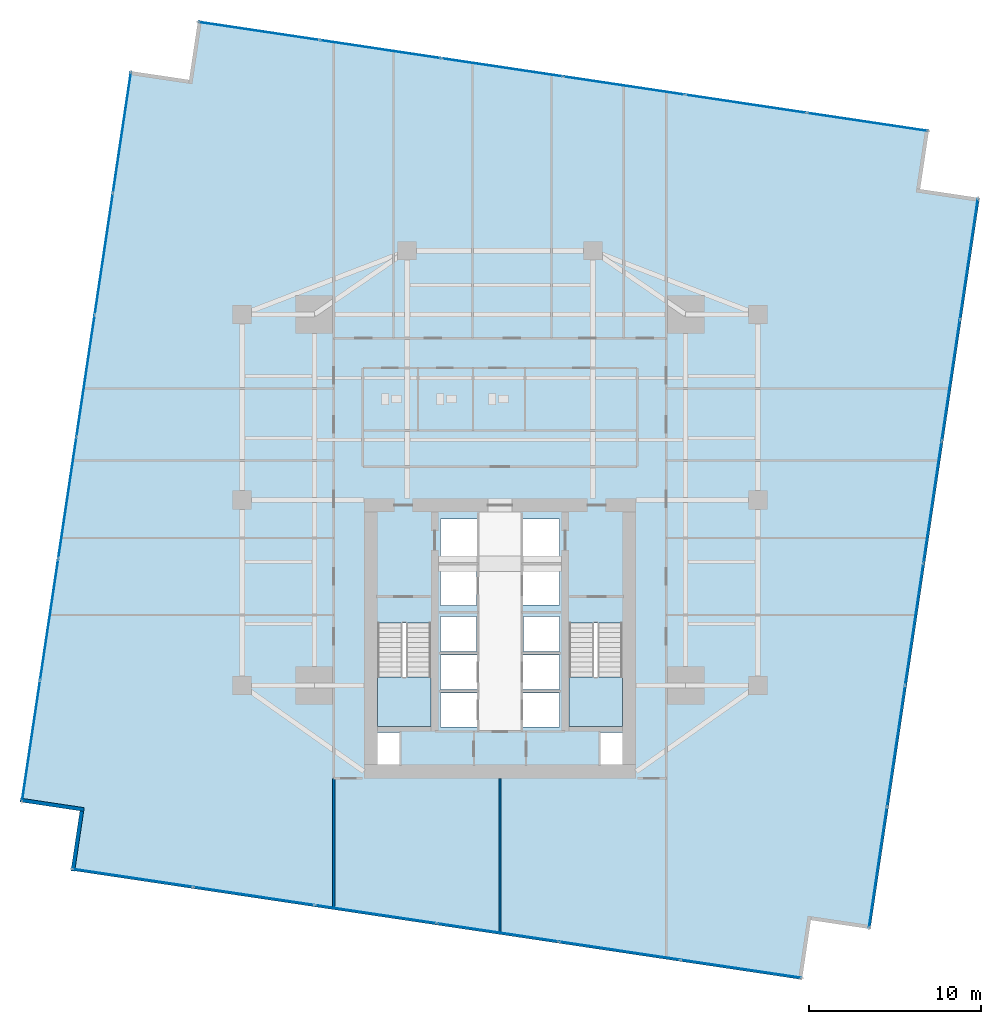
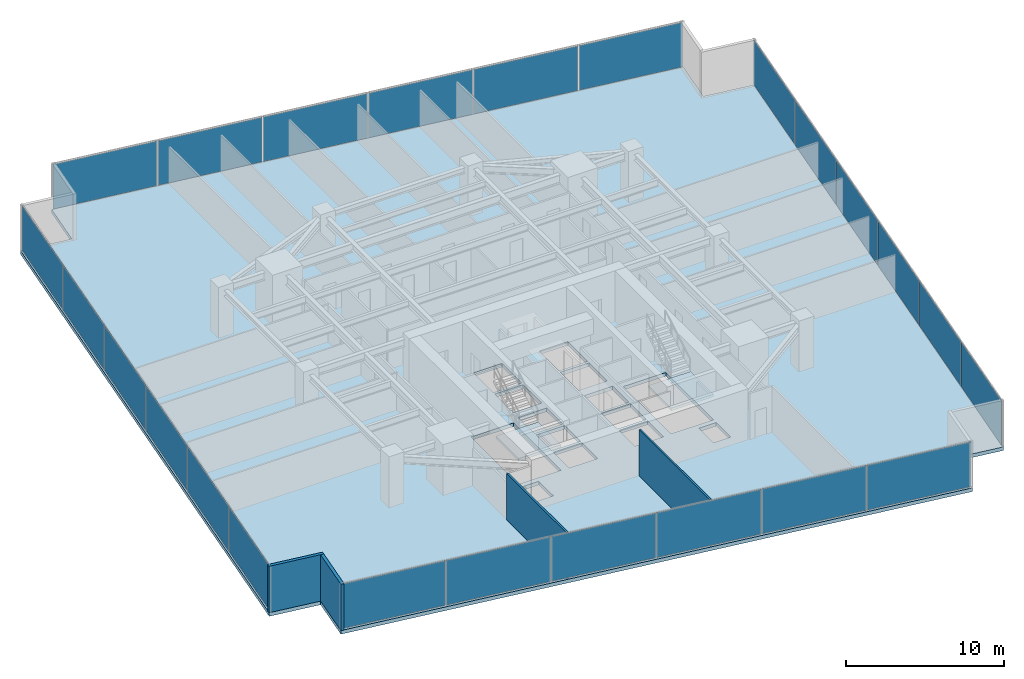
# One storey, part 24 of 29: 24 plates, 4 walls, 3 slabs, 6 elements without a shape of their own.
"""IFC4 building model written with IfcOpenShell, lengths in metres."""

import ifcopenshell
import ifcopenshell.guid

model = None  # the IFC model being written
_history = None  # IfcOwnerHistory: only IFC2X3 demands one
_inside = {}  # id of a spatial element -> (the spatial element, [elements in it])
_under = {}  # id of a project, library or spatial element -> (it, [spatial elements below it])
_declared = {}  # id of a project -> (the project, [libraries it declares])
_typed = {}  # id of a type object -> (the type object, [elements of that type])
_made_of = {}  # id of a material, layer set ... -> (it, [elements and type objects made of it])


def new_model(schema):
    """Start an empty IFC model of exactly this schema.

    Asked for "IFC4X3", IfcOpenShell would pick the latest addendum, in which some entities
    have other attributes; the version numbers below select the first issue.
    IFC2X3 requires an IfcOwnerHistory on every rooted entity: one is made here for all.
    """
    global model, _history
    if schema == "IFC4X3":
        model = ifcopenshell.file(schema_version=(4, 3, 0, 0))
    else:
        model = ifcopenshell.file(schema=schema)
    _inside.clear()
    _under.clear()
    _declared.clear()
    _typed.clear()
    _made_of.clear()
    _history = None
    if model.schema == "IFC2X3":
        org = make("IfcOrganization", Name="unknown")
        user = make(
            "IfcPersonAndOrganization",
            ThePerson=make("IfcPerson", FamilyName="unknown"),
            TheOrganization=org,
        )
        app = make(
            "IfcApplication",
            ApplicationDeveloper=org,
            Version="unknown",
            ApplicationFullName="unknown",
            ApplicationIdentifier="unknown",
        )
        _history = make(
            "IfcOwnerHistory",
            OwningUser=user,
            OwningApplication=app,
            ChangeAction="ADDED",
            CreationDate=0,
        )
    return model


def make(cls, **values):
    """One entity of the class cls with the attributes given. An attribute that is None is left unset."""
    return model.create_entity(
        cls, **{name: value for name, value in values.items() if value is not None}
    )


def rooted(cls, **values):
    """An entity with a GlobalId (a new one), such as an element, a storey or a relation."""
    return make(cls, GlobalId=ifcopenshell.guid.new(), OwnerHistory=_history, **values)


def si_unit(unit_type, name, prefix=None):
    """IfcSIUnit, for example si_unit("LENGTHUNIT", "METRE", prefix="MILLI")."""
    return make("IfcSIUnit", UnitType=unit_type, Prefix=prefix, Name=name)


def assignment(units):
    """IfcUnitAssignment: the units of a project."""
    return None if units is None else make("IfcUnitAssignment", Units=units)


def point(xyz):
    """IfcCartesianPoint."""
    return None if xyz is None else make("IfcCartesianPoint", Coordinates=xyz)


def direction(xyz):
    """IfcDirection."""
    return None if xyz is None else make("IfcDirection", DirectionRatios=xyz)


def frame(location, z_axis=None, x_axis=None):
    """IfcAxis2Placement3D, a coordinate frame: its origin and axes. An axis left out is left unset."""
    return make(
        "IfcAxis2Placement3D",
        Location=point(location),
        Axis=direction(z_axis),
        RefDirection=direction(x_axis),
    )


def frame_2d(location, x_axis=None):
    """IfcAxis2Placement2D, a coordinate frame in the plane: its origin and x axis."""
    return make(
        "IfcAxis2Placement2D", Location=point(location), RefDirection=direction(x_axis)
    )


def origin():
    """The frame at (0, 0, 0) with its axes left unset."""
    return frame((0.0, 0.0, 0.0))


def origin_2d():
    """The frame at (0, 0) in the plane with its x axis left unset."""
    return frame_2d((0.0, 0.0))


def place(relative_to, where):
    """IfcLocalPlacement: puts the frame where relative to a parent placement (None: the world)."""
    return make(
        "IfcLocalPlacement", PlacementRelTo=relative_to, RelativePlacement=where
    )


def context(
    kind, dimensions, precision=None, world=None, true_north=None, identifier=None
):
    """IfcGeometricRepresentationContext, for example the 3D "Model" context."""
    return make(
        "IfcGeometricRepresentationContext",
        ContextIdentifier=identifier,
        ContextType=kind,
        CoordinateSpaceDimension=dimensions,
        Precision=precision,
        WorldCoordinateSystem=world,
        TrueNorth=true_north,
    )


def subcontext(parent, identifier, kind, view, scale=None):
    """IfcGeometricRepresentationSubContext, for example "Body" below "Model"."""
    return make(
        "IfcGeometricRepresentationSubContext",
        ContextIdentifier=identifier,
        ContextType=kind,
        ParentContext=parent,
        TargetScale=scale,
        TargetView=view,
    )


def project(units=None, contexts=None):
    """IfcProject with its units and contexts."""
    return rooted(
        "IfcProject",
        Name="project",
        RepresentationContexts=contexts,
        UnitsInContext=assignment(units),
    )


def spatial(cls, under=None, at=None, **own):
    """A site, building, storey or space (cls), placed at a placement, below another one or the project."""
    s = rooted(cls, ObjectPlacement=at, **own)
    if under is not None:
        _under.setdefault(under.id(), (under, []))[1].append(s)
    return s


def polyline(points):
    """IfcPolyline through the points."""
    return make("IfcPolyline", Points=[point(p) for p in points])


def profile(cls, at=None, kind="AREA", **sizes):
    """A parametric profile (cls). Its sizes go by their IFC names, for example OverallWidth=200.0."""
    return make(cls, ProfileType=kind, Position=at, **sizes)


def rectangle(**sizes):
    """IfcRectangleProfileDef."""
    return profile("IfcRectangleProfileDef", **sizes)


def outline(outer, holes=None, kind="AREA"):
    """IfcArbitraryClosedProfileDef: a profile drawn as a closed curve; with holes, ...WithVoids."""
    if holes is None:
        return make("IfcArbitraryClosedProfileDef", ProfileType=kind, OuterCurve=outer)
    return make(
        "IfcArbitraryProfileDefWithVoids",
        ProfileType=kind,
        OuterCurve=outer,
        InnerCurves=holes,
    )


def extrude(swept, where, along, depth):
    """IfcExtrudedAreaSolid: the profile swept, set in the frame where, extruded along a direction by depth."""
    return make(
        "IfcExtrudedAreaSolid",
        SweptArea=swept,
        Position=where,
        ExtrudedDirection=direction(along),
        Depth=depth,
    )


def shape(context_of_items, identifier, shape_type, items):
    """IfcShapeRepresentation: the items that make up one representation, for example the "Body"."""
    return make(
        "IfcShapeRepresentation",
        ContextOfItems=context_of_items,
        RepresentationIdentifier=identifier,
        RepresentationType=shape_type,
        Items=items,
    )


def source(mapping_origin, context_of_items, identifier, shape_type, items):
    """IfcRepresentationMap: a shape defined once, which mapped items show again and again."""
    return make(
        "IfcRepresentationMap",
        MappingOrigin=mapping_origin,
        MappedRepresentation=shape(context_of_items, identifier, shape_type, items),
    )


def transform(
    local_origin,
    x_axis=None,
    y_axis=None,
    z_axis=None,
    scale=None,
    scale2=None,
    scale3=None,
    uniform=True,
):
    """IfcCartesianTransformationOperator3D, or its non-uniform kind. x_axis, y_axis, z_axis: its Axis1, 2, 3."""
    if uniform:
        return make(
            "IfcCartesianTransformationOperator3D",
            Axis1=direction(x_axis),
            Axis2=direction(y_axis),
            LocalOrigin=point(local_origin),
            Scale=scale,
            Axis3=direction(z_axis),
        )
    return make(
        "IfcCartesianTransformationOperator3DnonUniform",
        Axis1=direction(x_axis),
        Axis2=direction(y_axis),
        LocalOrigin=point(local_origin),
        Scale=scale,
        Axis3=direction(z_axis),
        Scale2=scale2,
        Scale3=scale3,
    )


def mapped(mapping_source, mapping_target):
    """IfcMappedItem: shows the shape of a source again, moved by a transform."""
    return make(
        "IfcMappedItem", MappingSource=mapping_source, MappingTarget=mapping_target
    )


def material(Name=None, Category=None):
    """IfcMaterial."""
    return make("IfcMaterial", Name=Name, Category=Category)


def layer(
    of_material, thickness, ventilated=None, Name=None, Category=None, Priority=None
):
    """IfcMaterialLayer: one layer of a wall or slab, of a material (None: an air gap)."""
    return make(
        "IfcMaterialLayer",
        Material=of_material,
        LayerThickness=thickness,
        IsVentilated=ventilated,
        Name=Name,
        Category=Category,
        Priority=Priority,
    )


def layer_set(layers, Name=None):
    """IfcMaterialLayerSet."""
    return make("IfcMaterialLayerSet", MaterialLayers=layers, LayerSetName=Name)


def made_of(thing, what):
    """Note that an element or type object is made of a material, layer set ...; save() writes the relation."""
    if what is not None:
        _made_of.setdefault(what.id(), (what, []))[1].append(thing)
    return thing


def type_object(cls, material=None, **own):
    """A type object (cls), such as IfcWallType, which elements share."""
    return made_of(rooted(cls, **own), material)


def type_shapes(of_type, sources):
    """Give a type object the sources (RepresentationMaps) that its elements show as mapped items."""
    of_type.RepresentationMaps = sources


def element(
    cls,
    number,
    at=None,
    inside=None,
    cuts=None,
    type_object=None,
    material=None,
    context=None,
    identifier="Body",
    shape_type=None,
    held_by="IfcProductDefinitionShape",
    body=None,
    shapes=None,
    **own,
):
    """One element of the class cls, such as IfcWall. Its Tag is "e" and its number.

    at: its placement. inside: the storey or other place that contains it. cuts: it is an
    opening in that element (IfcRelVoidsElement). A single representation is given by context,
    identifier, shape_type and body (its items); several are given by shapes. held_by: the class
    of the entity that holds the representations. save() writes the other relations.
    """
    e = rooted(cls, Tag="e%d" % number, ObjectPlacement=at, **own)
    if body is not None:
        shapes = [shape(context, identifier, shape_type, body)]
    if shapes is not None:
        e.Representation = make(held_by, Representations=shapes)
    if inside is not None:
        _inside.setdefault(inside.id(), (inside, []))[1].append(e)
    if cuts is not None:
        rooted(
            "IfcRelVoidsElement", RelatingBuildingElement=cuts, RelatedOpeningElement=e
        )
    if type_object is not None:
        _typed.setdefault(type_object.id(), (type_object, []))[1].append(e)
    return made_of(e, material)


def aggregate(whole, parts):
    """IfcRelAggregates: a whole, such as a stair, and the parts it consists of."""
    return rooted("IfcRelAggregates", RelatingObject=whole, RelatedObjects=parts)


def save(model, path):
    """Write the relations noted so far, then the file.

    IfcRelAggregates (storeys below a building ...), IfcRelContainedInSpatialStructure (elements
    in a storey), IfcRelDefinesByType, IfcRelAssociatesMaterial and IfcRelDeclares: one each for
    every whole, place, type object, material and project.
    """
    for whole, parts in _under.values():
        aggregate(whole, parts)
    for where, things in _inside.values():
        rooted(
            "IfcRelContainedInSpatialStructure",
            RelatedElements=things,
            RelatingStructure=where,
        )
    for kind, things in _typed.values():
        rooted("IfcRelDefinesByType", RelatedObjects=things, RelatingType=kind)
    for what, things in _made_of.values():
        rooted("IfcRelAssociatesMaterial", RelatedObjects=things, RelatingMaterial=what)
    for by, libraries in _declared.values():
        rooted("IfcRelDeclares", RelatingContext=by, RelatedDefinitions=libraries)
    model.write(path)


model = new_model("IFC4")

# Units and contexts
model_context = context("Model", 3, precision=1e-05, world=origin(), true_north=direction((0.0, 1.0)))
body_context = subcontext(model_context, "Body", "Model", "MODEL_VIEW")
ifc_project = project(units=[si_unit("LENGTHUNIT", "METRE"), si_unit("AREAUNIT", "SQUARE_METRE"), si_unit("VOLUMEUNIT", "CUBIC_METRE"), si_unit("PLANEANGLEUNIT", "RADIAN"), si_unit("MASSUNIT", "GRAM", prefix="KILO")], contexts=[model_context])

# Site, building, storey
site_placement = place(None, origin())
site = spatial("IfcSite", under=ifc_project, at=site_placement, CompositionType="ELEMENT")
building_placement = place(site_placement, origin())
building = spatial("IfcBuilding", under=site, at=building_placement, Name="Krantzveldt Concourse Tower", CompositionType="ELEMENT")
storey_placement = place(building_placement, frame((0.0, 0.0, 76.35009765625)))
storey = spatial("IfcBuildingStorey", under=building, at=storey_placement, Name="L18", CompositionType="ELEMENT", Elevation=76.35009765625)

# Stair, slab
ifc_material_1 = material(Name="Precast concrete C40/50", Category="concrete")
stair_type = type_object("IfcStairType", Name="STR-CORE-DOGLEG", PredefinedType="HALF_TURN_STAIR", material=ifc_material_1)
stair_1_placement = place(storey_placement, origin())
stair_1 = element("IfcStair", 1, at=stair_1_placement, inside=storey, type_object=stair_type, Name="L18 Protected Escape Stair ST-1", PredefinedType="HALF_TURN_STAIR")
ifc_layer_1 = layer(ifc_material_1, 0.199951171875, Name="Precast concrete C40/50", Category="concrete")
ifc_layer_set_1 = layer_set([ifc_layer_1], Name="Precast concrete C40/50 (SL-LANDING-200)")
slab_type_1 = type_object("IfcSlabType", Name="SL-LANDING-200", PredefinedType="LANDING", material=ifc_layer_set_1)
slab_1_placement = place(storey_placement, frame((0.0, 0.0, 1.77490234375)))
slab_1 = element("IfcSlab", 2, at=slab_1_placement, type_object=slab_type_1, Name="ST-1 landing 1", PredefinedType="LANDING", context=body_context, shape_type="SweptSolid", body=[
    extrude(outline(polyline([(28.8798828125, 16.4150390625), (28.8798828125, 13.52001953125), (31.97998046875, 13.52001953125), (31.97998046875, 16.4150390625), (28.8798828125, 16.4150390625)])), origin(), (0.0, 0.0, 1.0), 0.199951171875),
])
aggregate(stair_1, [slab_1])

stair_2_placement = place(storey_placement, origin())
stair_2 = element("IfcStair", 3, at=stair_2_placement, inside=storey, type_object=stair_type, Name="L18 Protected Escape Stair ST-2", PredefinedType="HALF_TURN_STAIR")
slab_2_placement = place(storey_placement, frame((0.0, 0.0, 1.77490234375)))
slab_2 = element("IfcSlab", 4, at=slab_2_placement, type_object=slab_type_1, Name="ST-2 landing 1", PredefinedType="LANDING", context=body_context, shape_type="SweptSolid", body=[
    extrude(outline(polyline([(40.02001953125, 16.4150390625), (40.02001953125, 13.52001953125), (43.1201171875, 13.52001953125), (43.1201171875, 16.4150390625), (40.02001953125, 16.4150390625)])), origin(), (0.0, 0.0, 1.0), 0.199951171875),
])
aggregate(stair_2, [slab_2])

# Slab
ifc_material_2 = material(Name="Concrete C40/50", Category="concrete")
ifc_layer_2 = layer(ifc_material_2, 0.280029296875, Name="Concrete C40/50", Category="concrete")
ifc_layer_set_2 = layer_set([ifc_layer_2], Name="Concrete C40/50 (SL-SL-TWR280)")
slab_type_2 = type_object("IfcSlabType", Name="SL-SL-TWR280", PredefinedType="FLOOR", material=ifc_layer_set_2)
slab_3_placement = place(storey_placement, frame((0.0, 0.0, -0.280029296875)))
element("IfcSlab", 5, at=slab_3_placement, inside=storey, type_object=slab_type_2, Name="SL-L18-MAIN", PredefinedType="FLOOR", context=body_context, shape_type="SweptSolid", body=[
    extrude(outline(polyline([(17.9140625, 51.141845703125), (14.452392578125, 51.6591796875), (8.0966796875, 9.13134765625), (11.558349609375, 8.614013671875), (11.041015625, 5.152587890625), (53.568603515625, -1.203369140625), (54.0859375, 2.25830078125), (57.547607421875, 1.740966796875), (63.9033203125, 44.2685546875), (60.441650390625, 44.785888671875), (60.958984375, 48.24755859375), (18.431396484375, 54.603271484375), (17.9140625, 51.141845703125)]), holes=[polyline([(28.8798828125, 19.547607421875), (28.8798828125, 13.52001953125), (31.97998046875, 13.52001953125), (31.97998046875, 19.547607421875), (28.8798828125, 19.547607421875)]), polyline([(40.02001953125, 19.547607421875), (40.02001953125, 13.52001953125), (43.1201171875, 13.52001953125), (43.1201171875, 19.547607421875), (40.02001953125, 19.547607421875)]), polyline([(32.550048828125, 23.10009765625), (34.64990234375, 23.10009765625), (34.64990234375, 25.60009765625), (32.550048828125, 25.60009765625), (32.550048828125, 23.10009765625)]), polyline([(37.35009765625, 23.10009765625), (39.449951171875, 23.10009765625), (39.449951171875, 25.60009765625), (37.35009765625, 25.60009765625), (37.35009765625, 23.10009765625)]), polyline([(37.35009765625, 20.60009765625), (39.449951171875, 20.60009765625), (39.449951171875, 22.89990234375), (37.35009765625, 22.89990234375), (37.35009765625, 20.60009765625)]), polyline([(32.550048828125, 13.47998046875), (34.64990234375, 13.47998046875), (34.64990234375, 15.47998046875), (32.550048828125, 15.47998046875), (32.550048828125, 13.47998046875)]), polyline([(32.550048828125, 15.679931640625), (34.64990234375, 15.679931640625), (34.64990234375, 17.679931640625), (32.550048828125, 17.679931640625), (32.550048828125, 15.679931640625)]), polyline([(37.35009765625, 13.47998046875), (39.449951171875, 13.47998046875), (39.449951171875, 15.47998046875), (37.35009765625, 15.47998046875), (37.35009765625, 13.47998046875)]), polyline([(37.35009765625, 15.679931640625), (39.449951171875, 15.679931640625), (39.449951171875, 17.679931640625), (37.35009765625, 17.679931640625), (37.35009765625, 15.679931640625)]), polyline([(32.550048828125, 20.550048828125), (34.6201171875, 20.550048828125), (34.6201171875, 22.89990234375), (32.550048828125, 22.89990234375), (32.550048828125, 20.550048828125)]), polyline([(32.550048828125, 17.8798828125), (34.6201171875, 17.8798828125), (34.6201171875, 19.919921875), (32.550048828125, 19.919921875), (32.550048828125, 17.8798828125)]), polyline([(37.3798828125, 17.8798828125), (39.449951171875, 17.8798828125), (39.449951171875, 19.919921875), (37.3798828125, 19.919921875), (37.3798828125, 17.8798828125)]), polyline([(28.8798828125, 11.320068359375), (30.139892578125, 11.320068359375), (30.139892578125, 13.159912109375), (28.8798828125, 13.159912109375), (28.8798828125, 11.320068359375)]), polyline([(41.860107421875, 11.320068359375), (43.1201171875, 11.320068359375), (43.1201171875, 13.159912109375), (41.860107421875, 13.159912109375), (41.860107421875, 11.320068359375)])]), origin(), (0.0, 0.0, 1.0), 0.280029296875),
])

# Curtain wall, plates
ifc_material_3 = material(Name="Anodised aluminium 6063-T6", Category="aluminium")
curtain_wall_type = type_object("IfcCurtainWallType", Name="CW2", PredefinedType="USERDEFINED", material=ifc_material_3)
curtain_wall_1_placement = place(storey_placement, origin())
curtain_wall_1 = element("IfcCurtainWall", 6, at=curtain_wall_1_placement, inside=storey, type_object=curtain_wall_type, Name="CW-L18-F01", ObjectType="UNITISED CURTAIN WALL", PredefinedType="USERDEFINED")
ifc_material_4 = material(Name="Bronze-tinted laminated low-E IGU glass", Category="glass")
ifc_layer_3 = layer(ifc_material_4, 0.031982421875, Name="Bronze-tinted laminated low-E IGU glass", Category="glass")
ifc_layer_set_3 = layer_set([ifc_layer_3], Name="Bronze-tinted laminated low-E IGU glass (CW-GLZ-32)")
plate_type = type_object("IfcPlateType", Name="CW-GLZ-32", PredefinedType="CURTAIN_PANEL", material=ifc_layer_set_3)
shared_shape_1 = source(origin(), body_context, "Body", "SweptSolid", [
    extrude(rectangle(XDim=7.061767578125, YDim=0.031982421875, at=origin_2d()), origin(), (0.0, 0.0, 1.0), 3.449951171875),
])
plate_1_placement = place(storey_placement, frame((14.00927734375, 48.08447265625, 0.06982421875), z_axis=(0.0, 0.0, 1.0), x_axis=(-0.147809505412, -0.989015849271, 0.0)))
plate_1 = element("IfcPlate", 7, at=plate_1_placement, type_object=plate_type, Name="CW-Z12 panel 1.1", PredefinedType="CURTAIN_PANEL", context=body_context, shape_type="MappedRepresentation", body=[
    mapped(shared_shape_1, transform((0.0, 0.0, 0.0), x_axis=(1.0, 0.0, 0.0), y_axis=(0.0, 1.0, 0.0), z_axis=(0.0, 0.0, 1.0), scale=1.0)),
])
plate_2_placement = place(storey_placement, frame((8.718017578125, 12.679443359375, 0.06982421875), z_axis=(0.0, 0.0, 1.0), x_axis=(-0.147809505412, -0.989015849271, 0.0)))
plate_2 = element("IfcPlate", 8, at=plate_2_placement, type_object=plate_type, Name="CW-Z12 panel 6.1", PredefinedType="CURTAIN_PANEL", context=body_context, shape_type="MappedRepresentation", body=[
    mapped(shared_shape_1, transform((0.0, 0.0, 0.0), x_axis=(1.0, 0.0, 0.0), y_axis=(0.0, 1.0, 0.0), z_axis=(0.0, 0.0, 1.0), scale=1.0)),
])

curtain_wall_2_placement = place(storey_placement, origin())
curtain_wall_2 = element("IfcCurtainWall", 9, at=curtain_wall_2_placement, inside=storey, type_object=curtain_wall_type, Name="CW-L18-F04", ObjectType="UNITISED CURTAIN WALL", PredefinedType="USERDEFINED")
plate_3_placement = place(storey_placement, frame((14.615478515625, 4.709228515625, 0.06982421875), z_axis=(0.0, 0.0, 1.0), x_axis=(0.989015849271, -0.147809505412, 0.0)))
plate_3 = element("IfcPlate", 10, at=plate_3_placement, type_object=plate_type, Name="CW-Z12 panel 1.1", PredefinedType="CURTAIN_PANEL", context=body_context, shape_type="MappedRepresentation", body=[
    mapped(shared_shape_1, transform((0.0, 0.0, 0.0), x_axis=(1.0, 0.0, 0.0), y_axis=(0.0, 1.0, 0.0), z_axis=(0.0, 0.0, 1.0), scale=1.0)),
])
plate_4_placement = place(storey_placement, frame((50.0205078125, -0.58203125, 0.06982421875), z_axis=(0.0, 0.0, 1.0), x_axis=(0.989015849271, -0.147809505412, 0.0)))
plate_4 = element("IfcPlate", 11, at=plate_4_placement, type_object=plate_type, Name="CW-Z12 panel 6.1", PredefinedType="CURTAIN_PANEL", context=body_context, shape_type="MappedRepresentation", body=[
    mapped(shared_shape_1, transform((0.0, 0.0, 0.0), x_axis=(1.0, 0.0, 0.0), y_axis=(0.0, 1.0, 0.0), z_axis=(0.0, 0.0, 1.0), scale=1.0)),
])

curtain_wall_3_placement = place(storey_placement, origin())
curtain_wall_3 = element("IfcCurtainWall", 12, at=curtain_wall_3_placement, inside=storey, type_object=curtain_wall_type, Name="CW-L18-F07", ObjectType="UNITISED CURTAIN WALL", PredefinedType="USERDEFINED")
plate_5_placement = place(storey_placement, frame((57.99072265625, 5.3154296875, 0.06982421875), z_axis=(0.0, 0.0, 1.0), x_axis=(0.147809505412, 0.989015849271, 0.0)))
plate_5 = element("IfcPlate", 13, at=plate_5_placement, type_object=plate_type, Name="CW-Z12 panel 1.1", PredefinedType="CURTAIN_PANEL", context=body_context, shape_type="MappedRepresentation", body=[
    mapped(shared_shape_1, transform((0.0, 0.0, 0.0), x_axis=(1.0, 0.0, 0.0), y_axis=(0.0, 1.0, 0.0), z_axis=(0.0, 0.0, 1.0), scale=1.0)),
])
plate_6_placement = place(storey_placement, frame((63.281982421875, 40.720703125, 0.06982421875), z_axis=(0.0, 0.0, 1.0), x_axis=(0.147809505412, 0.989015849271, 0.0)))
plate_6 = element("IfcPlate", 14, at=plate_6_placement, type_object=plate_type, Name="CW-Z12 panel 6.1", PredefinedType="CURTAIN_PANEL", context=body_context, shape_type="MappedRepresentation", body=[
    mapped(shared_shape_1, transform((0.0, 0.0, 0.0), x_axis=(1.0, 0.0, 0.0), y_axis=(0.0, 1.0, 0.0), z_axis=(0.0, 0.0, 1.0), scale=1.0)),
])

curtain_wall_4_placement = place(storey_placement, origin())
curtain_wall_4 = element("IfcCurtainWall", 15, at=curtain_wall_4_placement, inside=storey, type_object=curtain_wall_type, Name="CW-L18-F10", ObjectType="UNITISED CURTAIN WALL", PredefinedType="USERDEFINED")
plate_7_placement = place(storey_placement, frame((57.384521484375, 48.690673828125, 0.06982421875), z_axis=(0.0, 0.0, 1.0), x_axis=(-0.989015849271, 0.147809505412, 0.0)))
plate_7 = element("IfcPlate", 16, at=plate_7_placement, type_object=plate_type, Name="CW-Z12 panel 1.1", PredefinedType="CURTAIN_PANEL", context=body_context, shape_type="MappedRepresentation", body=[
    mapped(shared_shape_1, transform((0.0, 0.0, 0.0), x_axis=(1.0, 0.0, 0.0), y_axis=(0.0, 1.0, 0.0), z_axis=(0.0, 0.0, 1.0), scale=1.0)),
])
plate_8_placement = place(storey_placement, frame((21.9794921875, 53.98193359375, 0.06982421875), z_axis=(0.0, 0.0, 1.0), x_axis=(-0.989015849271, 0.147809505412, 0.0)))
plate_8 = element("IfcPlate", 17, at=plate_8_placement, type_object=plate_type, Name="CW-Z12 panel 6.1", PredefinedType="CURTAIN_PANEL", context=body_context, shape_type="MappedRepresentation", body=[
    mapped(shared_shape_1, transform((0.0, 0.0, 0.0), x_axis=(1.0, 0.0, 0.0), y_axis=(0.0, 1.0, 0.0), z_axis=(0.0, 0.0, 1.0), scale=1.0)),
])

# Plate
shared_shape_2 = source(origin(), body_context, "Body", "SweptSolid", [
    extrude(rectangle(XDim=7.0966796875, YDim=0.031982421875, at=origin_2d()), origin(), (0.0, 0.0, 1.0), 3.449951171875),
])
type_shapes(plate_type, [shared_shape_1, shared_shape_2])
plate_9_placement = place(storey_placement, frame((12.95263671875, 41.013916015625, 0.06982421875), z_axis=(0.0, 0.0, 1.0), x_axis=(-0.147809505412, -0.989015849271, 0.0)))
plate_9 = element("IfcPlate", 18, at=plate_9_placement, type_object=plate_type, Name="CW-Z12 panel 2.1", PredefinedType="CURTAIN_PANEL", context=body_context, shape_type="MappedRepresentation", body=[
    mapped(shared_shape_2, transform((0.0, 0.0, 0.0), x_axis=(1.0, 0.0, 0.0), y_axis=(0.0, 1.0, 0.0), z_axis=(0.0, 0.0, 1.0), scale=1.0)),
])

plate_10_placement = place(storey_placement, frame((11.893310546875, 33.926025390625, 0.06982421875), z_axis=(0.0, 0.0, 1.0), x_axis=(-0.147809505412, -0.989015849271, 0.0)))
plate_10 = element("IfcPlate", 19, at=plate_10_placement, type_object=plate_type, Name="CW-Z12 panel 3.1", PredefinedType="CURTAIN_PANEL", context=body_context, shape_type="MappedRepresentation", body=[
    mapped(shared_shape_2, transform((0.0, 0.0, 0.0), x_axis=(1.0, 0.0, 0.0), y_axis=(0.0, 1.0, 0.0), z_axis=(0.0, 0.0, 1.0), scale=1.0)),
])

plate_11_placement = place(storey_placement, frame((10.833984375, 26.837890625, 0.06982421875), z_axis=(0.0, 0.0, 1.0), x_axis=(-0.147809505412, -0.989015849271, 0.0)))
plate_11 = element("IfcPlate", 20, at=plate_11_placement, type_object=plate_type, Name="CW-Z12 panel 4.1", PredefinedType="CURTAIN_PANEL", context=body_context, shape_type="MappedRepresentation", body=[
    mapped(shared_shape_2, transform((0.0, 0.0, 0.0), x_axis=(1.0, 0.0, 0.0), y_axis=(0.0, 1.0, 0.0), z_axis=(0.0, 0.0, 1.0), scale=1.0)),
])

plate_12_placement = place(storey_placement, frame((9.774658203125, 19.75, 0.06982421875), z_axis=(0.0, 0.0, 1.0), x_axis=(-0.147809505412, -0.989015849271, 0.0)))
plate_12 = element("IfcPlate", 21, at=plate_12_placement, type_object=plate_type, Name="CW-Z12 panel 5.1", PredefinedType="CURTAIN_PANEL", context=body_context, shape_type="MappedRepresentation", body=[
    mapped(shared_shape_2, transform((0.0, 0.0, 0.0), x_axis=(1.0, 0.0, 0.0), y_axis=(0.0, 1.0, 0.0), z_axis=(0.0, 0.0, 1.0), scale=1.0)),
])

aggregate(curtain_wall_1, [plate_1, plate_9, plate_10, plate_11, plate_12, plate_2])

plate_13_placement = place(storey_placement, frame((21.68603515625, 3.652587890625, 0.06982421875), z_axis=(0.0, 0.0, 1.0), x_axis=(0.989015849271, -0.147809505412, 0.0)))
plate_13 = element("IfcPlate", 22, at=plate_13_placement, type_object=plate_type, Name="CW-Z12 panel 2.1", PredefinedType="CURTAIN_PANEL", context=body_context, shape_type="MappedRepresentation", body=[
    mapped(shared_shape_2, transform((0.0, 0.0, 0.0), x_axis=(1.0, 0.0, 0.0), y_axis=(0.0, 1.0, 0.0), z_axis=(0.0, 0.0, 1.0), scale=1.0)),
])

plate_14_placement = place(storey_placement, frame((28.774169921875, 2.59326171875, 0.06982421875), z_axis=(0.0, 0.0, 1.0), x_axis=(0.989015849271, -0.147809505412, 0.0)))
plate_14 = element("IfcPlate", 23, at=plate_14_placement, type_object=plate_type, Name="CW-Z12 panel 3.1", PredefinedType="CURTAIN_PANEL", context=body_context, shape_type="MappedRepresentation", body=[
    mapped(shared_shape_2, transform((0.0, 0.0, 0.0), x_axis=(1.0, 0.0, 0.0), y_axis=(0.0, 1.0, 0.0), z_axis=(0.0, 0.0, 1.0), scale=1.0)),
])

plate_15_placement = place(storey_placement, frame((35.862060546875, 1.533935546875, 0.06982421875), z_axis=(0.0, 0.0, 1.0), x_axis=(0.989015849271, -0.147809505412, 0.0)))
plate_15 = element("IfcPlate", 24, at=plate_15_placement, type_object=plate_type, Name="CW-Z12 panel 4.1", PredefinedType="CURTAIN_PANEL", context=body_context, shape_type="MappedRepresentation", body=[
    mapped(shared_shape_2, transform((0.0, 0.0, 0.0), x_axis=(1.0, 0.0, 0.0), y_axis=(0.0, 1.0, 0.0), z_axis=(0.0, 0.0, 1.0), scale=1.0)),
])

plate_16_placement = place(storey_placement, frame((42.949951171875, 0.474609375, 0.06982421875), z_axis=(0.0, 0.0, 1.0), x_axis=(0.989015849271, -0.147809505412, 0.0)))
plate_16 = element("IfcPlate", 25, at=plate_16_placement, type_object=plate_type, Name="CW-Z12 panel 5.1", PredefinedType="CURTAIN_PANEL", context=body_context, shape_type="MappedRepresentation", body=[
    mapped(shared_shape_2, transform((0.0, 0.0, 0.0), x_axis=(1.0, 0.0, 0.0), y_axis=(0.0, 1.0, 0.0), z_axis=(0.0, 0.0, 1.0), scale=1.0)),
])

aggregate(curtain_wall_2, [plate_3, plate_13, plate_14, plate_15, plate_16, plate_4])

plate_17_placement = place(storey_placement, frame((59.04736328125, 12.38623046875, 0.06982421875), z_axis=(0.0, 0.0, 1.0), x_axis=(0.147809505412, 0.989015849271, 0.0)))
plate_17 = element("IfcPlate", 26, at=plate_17_placement, type_object=plate_type, Name="CW-Z12 panel 2.1", PredefinedType="CURTAIN_PANEL", context=body_context, shape_type="MappedRepresentation", body=[
    mapped(shared_shape_2, transform((0.0, 0.0, 0.0), x_axis=(1.0, 0.0, 0.0), y_axis=(0.0, 1.0, 0.0), z_axis=(0.0, 0.0, 1.0), scale=1.0)),
])

plate_18_placement = place(storey_placement, frame((60.106689453125, 19.47412109375, 0.06982421875), z_axis=(0.0, 0.0, 1.0), x_axis=(0.147809505412, 0.989015849271, 0.0)))
plate_18 = element("IfcPlate", 27, at=plate_18_placement, type_object=plate_type, Name="CW-Z12 panel 3.1", PredefinedType="CURTAIN_PANEL", context=body_context, shape_type="MappedRepresentation", body=[
    mapped(shared_shape_2, transform((0.0, 0.0, 0.0), x_axis=(1.0, 0.0, 0.0), y_axis=(0.0, 1.0, 0.0), z_axis=(0.0, 0.0, 1.0), scale=1.0)),
])

plate_19_placement = place(storey_placement, frame((61.166015625, 26.56201171875, 0.06982421875), z_axis=(0.0, 0.0, 1.0), x_axis=(0.147809505412, 0.989015849271, 0.0)))
plate_19 = element("IfcPlate", 28, at=plate_19_placement, type_object=plate_type, Name="CW-Z12 panel 4.1", PredefinedType="CURTAIN_PANEL", context=body_context, shape_type="MappedRepresentation", body=[
    mapped(shared_shape_2, transform((0.0, 0.0, 0.0), x_axis=(1.0, 0.0, 0.0), y_axis=(0.0, 1.0, 0.0), z_axis=(0.0, 0.0, 1.0), scale=1.0)),
])

plate_20_placement = place(storey_placement, frame((62.225341796875, 33.64990234375, 0.06982421875), z_axis=(0.0, 0.0, 1.0), x_axis=(0.147809505412, 0.989015849271, 0.0)))
plate_20 = element("IfcPlate", 29, at=plate_20_placement, type_object=plate_type, Name="CW-Z12 panel 5.1", PredefinedType="CURTAIN_PANEL", context=body_context, shape_type="MappedRepresentation", body=[
    mapped(shared_shape_2, transform((0.0, 0.0, 0.0), x_axis=(1.0, 0.0, 0.0), y_axis=(0.0, 1.0, 0.0), z_axis=(0.0, 0.0, 1.0), scale=1.0)),
])

aggregate(curtain_wall_3, [plate_5, plate_17, plate_18, plate_19, plate_20, plate_6])

plate_21_placement = place(storey_placement, frame((50.31396484375, 49.747314453125, 0.06982421875), z_axis=(0.0, 0.0, 1.0), x_axis=(-0.989015849271, 0.147809505412, 0.0)))
plate_21 = element("IfcPlate", 30, at=plate_21_placement, type_object=plate_type, Name="CW-Z12 panel 2.1", PredefinedType="CURTAIN_PANEL", context=body_context, shape_type="MappedRepresentation", body=[
    mapped(shared_shape_2, transform((0.0, 0.0, 0.0), x_axis=(1.0, 0.0, 0.0), y_axis=(0.0, 1.0, 0.0), z_axis=(0.0, 0.0, 1.0), scale=1.0)),
])

plate_22_placement = place(storey_placement, frame((43.225830078125, 50.806640625, 0.06982421875), z_axis=(0.0, 0.0, 1.0), x_axis=(-0.989015849271, 0.147809505412, 0.0)))
plate_22 = element("IfcPlate", 31, at=plate_22_placement, type_object=plate_type, Name="CW-Z12 panel 3.1", PredefinedType="CURTAIN_PANEL", context=body_context, shape_type="MappedRepresentation", body=[
    mapped(shared_shape_2, transform((0.0, 0.0, 0.0), x_axis=(1.0, 0.0, 0.0), y_axis=(0.0, 1.0, 0.0), z_axis=(0.0, 0.0, 1.0), scale=1.0)),
])

plate_23_placement = place(storey_placement, frame((36.137939453125, 51.865966796875, 0.06982421875), z_axis=(0.0, 0.0, 1.0), x_axis=(-0.989015849271, 0.147809505412, 0.0)))
plate_23 = element("IfcPlate", 32, at=plate_23_placement, type_object=plate_type, Name="CW-Z12 panel 4.1", PredefinedType="CURTAIN_PANEL", context=body_context, shape_type="MappedRepresentation", body=[
    mapped(shared_shape_2, transform((0.0, 0.0, 0.0), x_axis=(1.0, 0.0, 0.0), y_axis=(0.0, 1.0, 0.0), z_axis=(0.0, 0.0, 1.0), scale=1.0)),
])

plate_24_placement = place(storey_placement, frame((29.050048828125, 52.92529296875, 0.06982421875), z_axis=(0.0, 0.0, 1.0), x_axis=(-0.989015849271, 0.147809505412, 0.0)))
plate_24 = element("IfcPlate", 33, at=plate_24_placement, type_object=plate_type, Name="CW-Z12 panel 5.1", PredefinedType="CURTAIN_PANEL", context=body_context, shape_type="MappedRepresentation", body=[
    mapped(shared_shape_2, transform((0.0, 0.0, 0.0), x_axis=(1.0, 0.0, 0.0), y_axis=(0.0, 1.0, 0.0), z_axis=(0.0, 0.0, 1.0), scale=1.0)),
])

aggregate(curtain_wall_4, [plate_7, plate_21, plate_22, plate_23, plate_24, plate_8])

# Walls
ifc_layer_4 = layer(ifc_material_3, 0.219970703125, Name="Anodised aluminium 6063-T6", Category="aluminium")
ifc_layer_set_4 = layer_set([ifc_layer_4], Name="Anodised aluminium 6063-T6 (WL-EXT-NOTCH220)")
wall_type_1 = type_object("IfcWallType", Name="WL-EXT-NOTCH220", PredefinedType="ELEMENTEDWALL", material=ifc_layer_set_4)
wall_1_placement = place(storey_placement, frame((8.088134765625, 9.243896484375, 0.0), z_axis=(0.0, 0.0, 1.0), x_axis=(0.989018923648, -0.147788932826, 0.0)))
element("IfcWall", 34, at=wall_1_placement, inside=storey, type_object=wall_type_1, Name="EW-L18-NCH02", PredefinedType="ELEMENTEDWALL", context=body_context, shape_type="SweptSolid", body=[
    extrude(rectangle(XDim=3.744873046875, YDim=0.219970703125, at=frame_2d((1.87255859375, 0.0))), origin(), (0.0, 0.0, 1.0), 3.58984375),
])
wall_2_placement = place(storey_placement, frame((11.6669921875, 8.597900390625, 0.0), z_axis=(0.0, 0.0, 1.0), x_axis=(-0.147798551521, -0.98901748628, 0.0)))
element("IfcWall", 35, at=wall_2_placement, inside=storey, type_object=wall_type_1, Name="EW-L18-NCH03", PredefinedType="ELEMENTEDWALL", context=body_context, shape_type="SweptSolid", body=[
    extrude(rectangle(XDim=3.525146484375, YDim=0.219970703125, at=frame_2d((1.7626953125, 0.0))), origin(), (0.0, 0.0, 1.0), 3.58984375),
])
ifc_material_5 = material(Name="Fire-rated gypsum plasterboard on steel stud", Category="steel")
ifc_layer_5 = layer(ifc_material_5, 0.1201171875, Name="Fire-rated gypsum plasterboard on steel stud", Category="steel")
ifc_layer_set_5 = layer_set([ifc_layer_5], Name="Fire-rated gypsum plasterboard on steel stud (WL-PART-120)")
wall_type_2 = type_object("IfcWallType", Name="WL-PART-120", PredefinedType="PARTITIONING", material=ifc_layer_set_5)
wall_3_placement = place(storey_placement, frame((36.0, 1.51318359375, 0.0), z_axis=(0.0, 0.0, 1.0), x_axis=(0.0, 1.0, 0.0)))
element("IfcWall", 36, at=wall_3_placement, inside=storey, type_object=wall_type_2, Name="WP-L18-SMD", PredefinedType="PARTITIONING", context=body_context, shape_type="SweptSolid", body=[
    extrude(rectangle(XDim=8.98681640625, YDim=0.1201171875, at=frame_2d((4.493408203125, 0.0))), origin(), (0.0, 0.0, 1.0), 3.58984375),
])
ifc_layer_6 = layer(ifc_material_5, 0.139892578125, Name="Fire-rated gypsum plasterboard on steel stud", Category="steel")
ifc_layer_set_6 = layer_set([ifc_layer_6], Name="Fire-rated gypsum plasterboard on steel stud (WL-PART-140)")
wall_type_3 = type_object("IfcWallType", Name="WL-PART-140", PredefinedType="PARTITIONING", material=ifc_layer_set_6)
wall_4_placement = place(storey_placement, frame((26.320068359375, 2.9599609375, 0.0), z_axis=(0.0, 0.0, 1.0), x_axis=(0.0, 1.0, 0.0)))
element("IfcWall", 37, at=wall_4_placement, inside=storey, type_object=wall_type_3, Name="WP-L18-SWL", PredefinedType="PARTITIONING", context=body_context, shape_type="SweptSolid", body=[
    extrude(rectangle(XDim=7.5400390625, YDim=0.139892578125, at=frame_2d((3.77001953125, 0.0))), origin(), (0.0, 0.0, 1.0), 3.58984375),
])

save(model, "model.ifc")
